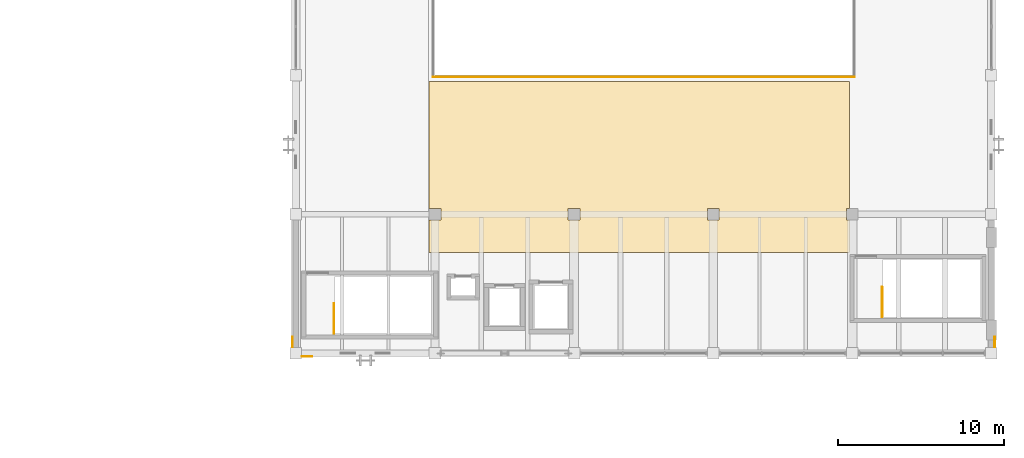
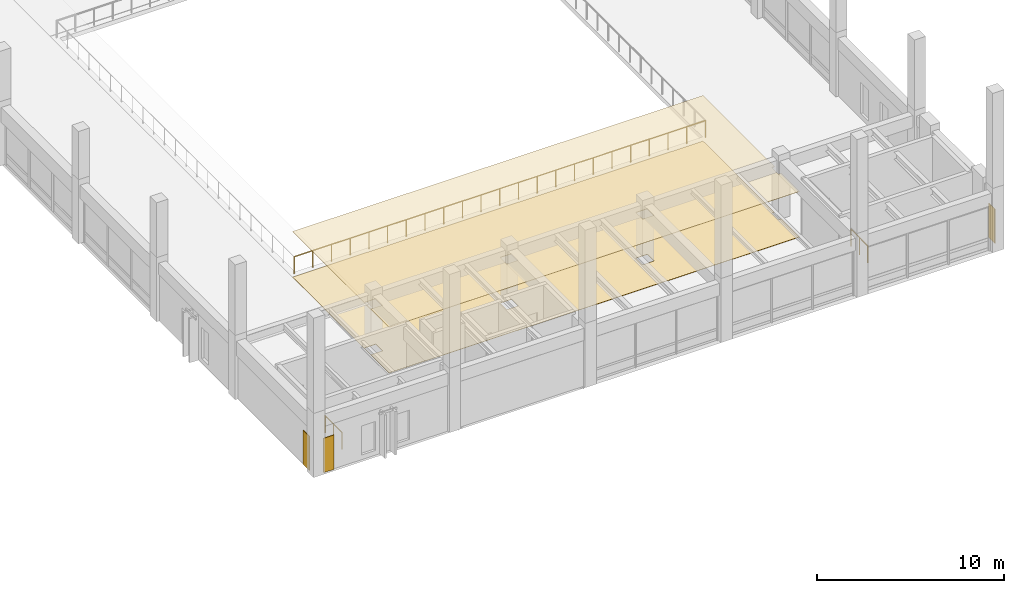
# One storey, part 125 of 132: 5 coverings, 3 railings.
"""IFC4 building model written with IfcOpenShell, lengths in metres."""

from ifc_helpers import new_model, si_unit, direction, frame, origin, origin_2d, place, context, subcontext, project, spatial, polyline, circle, outline, extrude, material, layer, layer_set, type_object, element, save


model = new_model("IFC4")

# Units and contexts
model_context = context("Model", 3, precision=1e-05, world=origin(), true_north=direction((0.0, 1.0)))
body_context = subcontext(model_context, "Body", "Model", "MODEL_VIEW")
ifc_project = project(units=[si_unit("LENGTHUNIT", "METRE"), si_unit("AREAUNIT", "SQUARE_METRE"), si_unit("VOLUMEUNIT", "CUBIC_METRE"), si_unit("PLANEANGLEUNIT", "RADIAN"), si_unit("MASSUNIT", "GRAM", prefix="KILO")], contexts=[model_context])

# Site, building, storey
site_placement = place(None, origin())
site = spatial("IfcSite", under=ifc_project, at=site_placement, CompositionType="ELEMENT")
building_placement = place(site_placement, origin())
building = spatial("IfcBuilding", under=site, at=building_placement, Name="Cumbredor Promenade Congress Hotel", CompositionType="ELEMENT")
storey_placement = place(building_placement, frame((0.0, 0.0, 7.56005859375)))
storey = spatial("IfcBuildingStorey", under=building, at=storey_placement, Name="L02", CompositionType="ELEMENT", Elevation=7.56005859375)

# Coverings
ifc_material_1 = material(Name="Acoustic mineral-fiber and gypsum ceiling")
ifc_layer_1 = layer(ifc_material_1, 0.028076171875, Name="Acoustic mineral-fiber and gypsum ceiling")
ifc_layer_set_1 = layer_set([ifc_layer_1], Name="Acoustic mineral-fiber and gypsum ceiling")
covering_type_1 = type_object("IfcCoveringType", Name="Acoustic Perforated Gypsum Ceiling CLG-03 28mm", PredefinedType="CEILING", material=ifc_layer_set_1)
covering_1_placement = place(storey_placement, frame((0.0, 0.0, 2.972900390625)))
element("IfcCovering", 1, at=covering_1_placement, inside=storey, type_object=covering_type_1, Name="L02 South Riverside Banquet Salon Acoustic Ceiling", PredefinedType="CEILING", context=body_context, shape_type="SweptSolid", body=[
    extrude(outline(polyline([(150.830078125, 24.820068359375), (176.219970703125, 24.820068359375), (176.219970703125, 17.155029296875), (176.044921875, 17.155029296875), (176.044921875, 16.445068359375), (176.219970703125, 16.445068359375), (176.219970703125, 14.47998046875), (150.830078125, 14.47998046875), (150.830078125, 24.820068359375)]), holes=[polyline([(151.554931640625, 16.445068359375), (151.554931640625, 17.155029296875), (150.844970703125, 17.155029296875), (150.844970703125, 16.445068359375), (151.554931640625, 16.445068359375)]), polyline([(159.2451171875, 16.445068359375), (159.955078125, 16.445068359375), (159.955078125, 17.155029296875), (159.2451171875, 17.155029296875), (159.2451171875, 16.445068359375)]), polyline([(167.64501953125, 17.155029296875), (167.64501953125, 16.445068359375), (168.35498046875, 16.445068359375), (168.35498046875, 17.155029296875), (167.64501953125, 17.155029296875)])]), origin(), (0.0, 0.0, 1.0), 0.028076171875),
])
ifc_material_2 = material(Name="Precast concrete C40/50", Category="concrete")
ifc_layer_2 = layer(ifc_material_2, 0.044921875, Name="Precast concrete C40/50", Category="concrete")
ifc_layer_set_2 = layer_set([ifc_layer_2], Name="Precast concrete C40/50")
covering_type_2 = type_object("IfcCoveringType", Name="Board-Formed Architectural Cladding Panel 45mm", PredefinedType="CLADDING", material=ifc_layer_set_2)
covering_2_placement = place(storey_placement, origin())
element("IfcCovering", 2, at=covering_2_placement, inside=storey, type_object=covering_type_2, Name="L02 Facade Stone Cladding Pier 102", PredefinedType="CLADDING", context=body_context, shape_type="SweptSolid", body=[
    extrude(outline(polyline([(143.15087890625, 8.22509765625), (143.801025390625, 8.22509765625), (143.801025390625, 8.179931640625), (143.15087890625, 8.179931640625), (143.15087890625, 8.22509765625)])), origin(), (0.0, 0.0, 1.0), 2.25),
])
covering_3_placement = place(storey_placement, origin())
element("IfcCovering", 3, at=covering_3_placement, inside=storey, type_object=covering_type_2, Name="L02 Facade Stone Cladding Pier 106", PredefinedType="CLADDING", context=body_context, shape_type="SweptSolid", body=[
    extrude(outline(polyline([(142.625, 8.7509765625), (142.625, 9.40087890625), (142.580078125, 9.40087890625), (142.580078125, 8.7509765625), (142.625, 8.7509765625)])), origin(), (0.0, 0.0, 1.0), 2.25),
])
covering_4_placement = place(storey_placement, origin())
element("IfcCovering", 4, at=covering_4_placement, inside=storey, type_object=covering_type_2, Name="L02 Facade Stone Cladding Pier 108", PredefinedType="CLADDING", context=body_context, shape_type="SweptSolid", body=[
    extrude(outline(polyline([(184.97509765625, 8.7509765625), (184.97509765625, 9.40087890625), (185.02001953125, 9.40087890625), (185.02001953125, 8.7509765625), (184.97509765625, 8.7509765625)])), origin(), (0.0, 0.0, 1.0), 2.25),
])

# Railings
ifc_material_3 = material(Name="Brushed stainless steel", Category="steel")
railing_type = type_object("IfcRailingType", Name="Interior Void & Stair Guardrail GR-1100", PredefinedType="GUARDRAIL", material=ifc_material_3)
for number, where, name in (
    (5, (145.10009765625, 9.60009765625, 0.0), "L02 ST-08 top well guard 1"),
    (6, (178.199951171875, 10.60009765625, 0.0), "L02 ST-09 top well guard 1"),
):
    element("IfcRailing", number, at=place(storey_placement, frame(where)), inside=storey, type_object=railing_type, Name=name, PredefinedType="GUARDRAIL", context=body_context, shape_type="SweptSolid", body=[
        extrude(circle(Radius=0.02392578125, at=origin_2d()), frame((0.0, 0.0, 1.09619140625), z_axis=(0.0, 1.0, 0.0), x_axis=(-1.0, 0.0, 0.0)), (0.0, 0.0, 1.0), 1.7998046875),
        extrude(circle(Radius=0.02099609375, at=origin_2d()), origin(), (0.0, 0.0, 1.0), 1.072021484375),
        extrude(circle(Radius=0.02099609375, at=origin_2d()), frame((0.0, 0.89990234375, 0.0)), (0.0, 0.0, 1.0), 1.072021484375),
        extrude(circle(Radius=0.02099609375, at=origin_2d()), frame((0.0, 1.7998046875, 0.0)), (0.0, 0.0, 1.0), 1.072021484375),
    ])
railing_placement = place(storey_placement, frame((151.080078125, 25.080078125, 0.0)))
element("IfcRailing", 7, at=railing_placement, inside=storey, type_object=railing_type, Name="L02 v2_ballroom_void Void Perimeter Guardrail 1", PredefinedType="GUARDRAIL", context=body_context, shape_type="SweptSolid", body=[
    extrude(circle(Radius=0.02392578125, at=origin_2d()), frame((0.0, 0.0, 1.09619140625), z_axis=(1.0, 0.0, 0.0), x_axis=(0.0, 1.0, 0.0)), (0.0, 0.0, 1.0), 25.43994140625),
    extrude(circle(Radius=0.02099609375, at=origin_2d()), origin(), (0.0, 0.0, 1.0), 1.072021484375),
    extrude(circle(Radius=0.02099609375, at=origin_2d()), frame((1.15625, 0.0, 0.0)), (0.0, 0.0, 1.0), 1.072021484375),
    extrude(circle(Radius=0.02099609375, at=origin_2d()), frame((2.312744140625, 0.0, 0.0)), (0.0, 0.0, 1.0), 1.072021484375),
    extrude(circle(Radius=0.02099609375, at=origin_2d()), frame((3.468994140625, 0.0, 0.0)), (0.0, 0.0, 1.0), 1.072021484375),
    extrude(circle(Radius=0.02099609375, at=origin_2d()), frame((4.62548828125, 0.0, 0.0)), (0.0, 0.0, 1.0), 1.072021484375),
    extrude(circle(Radius=0.02099609375, at=origin_2d()), frame((5.78173828125, 0.0, 0.0)), (0.0, 0.0, 1.0), 1.072021484375),
    extrude(circle(Radius=0.02099609375, at=origin_2d()), frame((6.938232421875, 0.0, 0.0)), (0.0, 0.0, 1.0), 1.072021484375),
    extrude(circle(Radius=0.02099609375, at=origin_2d()), frame((8.094482421875, 0.0, 0.0)), (0.0, 0.0, 1.0), 1.072021484375),
    extrude(circle(Radius=0.02099609375, at=origin_2d()), frame((9.2509765625, 0.0, 0.0)), (0.0, 0.0, 1.0), 1.072021484375),
    extrude(circle(Radius=0.02099609375, at=origin_2d()), frame((10.4072265625, 0.0, 0.0)), (0.0, 0.0, 1.0), 1.072021484375),
    extrude(circle(Radius=0.02099609375, at=origin_2d()), frame((11.563720703125, 0.0, 0.0)), (0.0, 0.0, 1.0), 1.072021484375),
    extrude(circle(Radius=0.02099609375, at=origin_2d()), frame((12.719970703125, 0.0, 0.0)), (0.0, 0.0, 1.0), 1.072021484375),
    extrude(circle(Radius=0.02099609375, at=origin_2d()), frame((13.876220703125, 0.0, 0.0)), (0.0, 0.0, 1.0), 1.072021484375),
    extrude(circle(Radius=0.02099609375, at=origin_2d()), frame((15.03271484375, 0.0, 0.0)), (0.0, 0.0, 1.0), 1.072021484375),
    extrude(circle(Radius=0.02099609375, at=origin_2d()), frame((16.18896484375, 0.0, 0.0)), (0.0, 0.0, 1.0), 1.072021484375),
    extrude(circle(Radius=0.02099609375, at=origin_2d()), frame((17.345458984375, 0.0, 0.0)), (0.0, 0.0, 1.0), 1.072021484375),
    extrude(circle(Radius=0.02099609375, at=origin_2d()), frame((18.501708984375, 0.0, 0.0)), (0.0, 0.0, 1.0), 1.072021484375),
    extrude(circle(Radius=0.02099609375, at=origin_2d()), frame((19.658203125, 0.0, 0.0)), (0.0, 0.0, 1.0), 1.072021484375),
    extrude(circle(Radius=0.02099609375, at=origin_2d()), frame((20.814453125, 0.0, 0.0)), (0.0, 0.0, 1.0), 1.072021484375),
    extrude(circle(Radius=0.02099609375, at=origin_2d()), frame((21.970947265625, 0.0, 0.0)), (0.0, 0.0, 1.0), 1.072021484375),
    extrude(circle(Radius=0.02099609375, at=origin_2d()), frame((23.127197265625, 0.0, 0.0)), (0.0, 0.0, 1.0), 1.072021484375),
    extrude(circle(Radius=0.02099609375, at=origin_2d()), frame((24.28369140625, 0.0, 0.0)), (0.0, 0.0, 1.0), 1.072021484375),
    extrude(circle(Radius=0.02099609375, at=origin_2d()), frame((25.43994140625, 0.0, 0.0)), (0.0, 0.0, 1.0), 1.072021484375),
])

# Covering
ifc_material_4 = material(Name="Porcelain stoneware tile", Category="masonry")
ifc_layer_3 = layer(ifc_material_4, 0.02001953125, Name="Porcelain stoneware tile", Category="masonry")
ifc_layer_set_3 = layer_set([ifc_layer_3], Name="Porcelain stoneware tile")
covering_type_3 = type_object("IfcCoveringType", Name="Porcelain Stoneware Flooring FLR-01 20mm", PredefinedType="FLOORING", material=ifc_layer_set_3)
covering_5_placement = place(storey_placement, origin())
element("IfcCovering", 8, at=covering_5_placement, inside=storey, type_object=covering_type_3, Name="L02 South Riverside Banquet Salon Porcelain Flooring", PredefinedType="FLOORING", context=body_context, shape_type="SweptSolid", body=[
    extrude(outline(polyline([(150.830078125, 24.820068359375), (176.219970703125, 24.820068359375), (176.219970703125, 17.155029296875), (176.044921875, 17.155029296875), (176.044921875, 16.445068359375), (176.219970703125, 16.445068359375), (176.219970703125, 14.47998046875), (150.830078125, 14.47998046875), (150.830078125, 24.820068359375)]), holes=[polyline([(151.554931640625, 16.445068359375), (151.554931640625, 17.155029296875), (150.844970703125, 17.155029296875), (150.844970703125, 16.445068359375), (151.554931640625, 16.445068359375)]), polyline([(159.2451171875, 16.445068359375), (159.955078125, 16.445068359375), (159.955078125, 17.155029296875), (159.2451171875, 17.155029296875), (159.2451171875, 16.445068359375)]), polyline([(167.64501953125, 17.155029296875), (167.64501953125, 16.445068359375), (168.35498046875, 16.445068359375), (168.35498046875, 17.155029296875), (167.64501953125, 17.155029296875)])]), origin(), (0.0, 0.0, 1.0), 0.02001953125),
])

save(model, "model.ifc")
